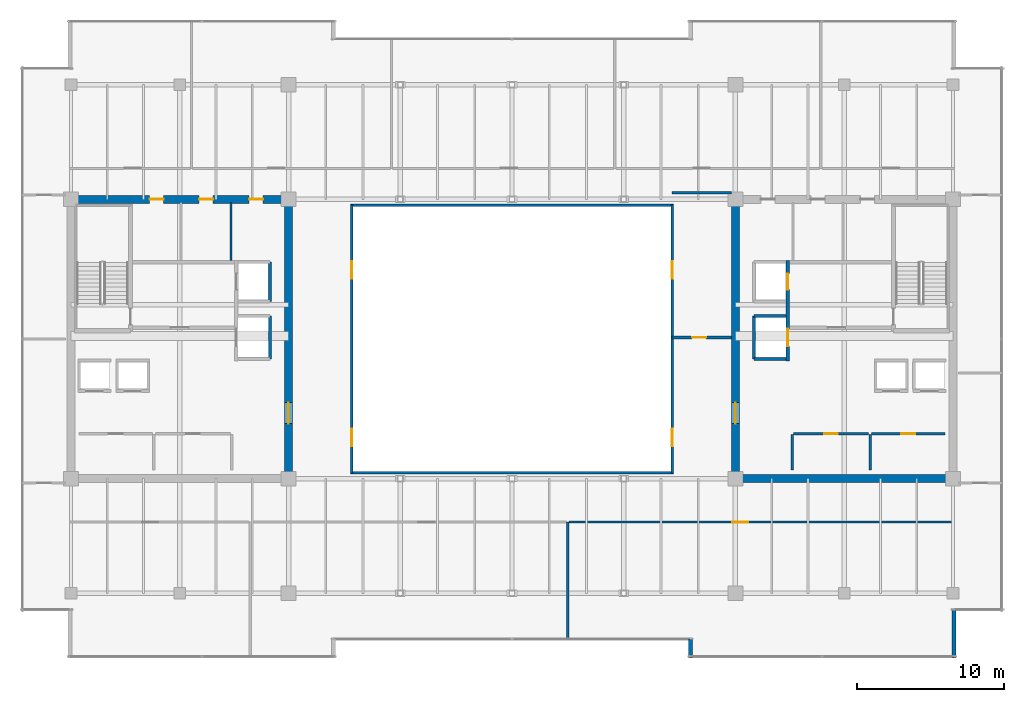
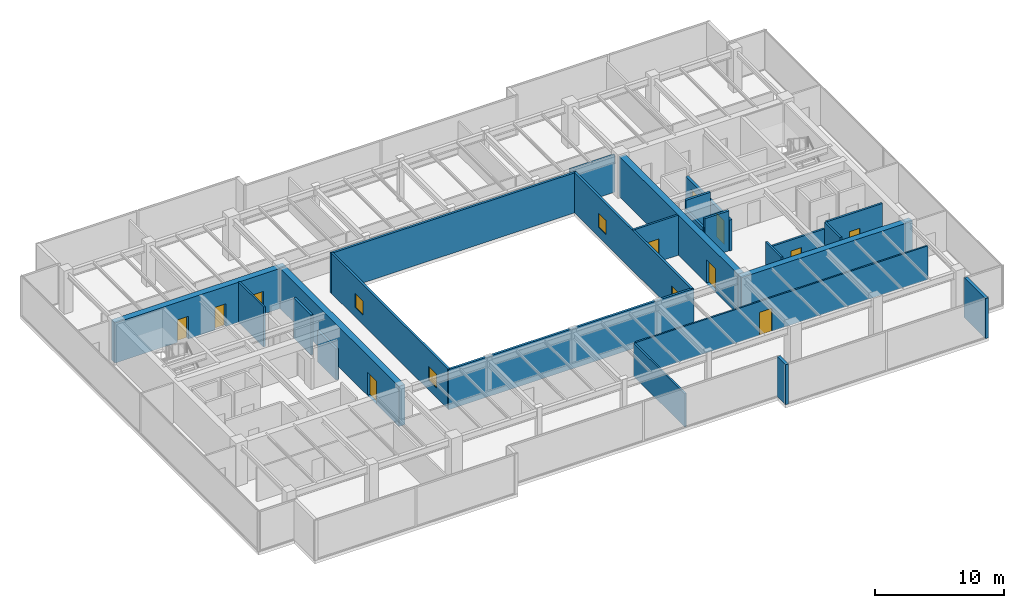
# One storey, part 29 of 33: 25 walls, 11 doors, 4 windows, 15 openings.
"""IFC4 building model written with IfcOpenShell, lengths in metres."""

from ifc_helpers import new_model, si_unit, direction, frame, frame_2d, origin, place, context, subcontext, project, spatial, rectangle, extrude, source, transform, mapped, material, layer, layer_set, type_object, type_shapes, element, fill, save


model = new_model("IFC4")

# Units and contexts
model_context = context("Model", 3, precision=1e-05, world=origin(), true_north=direction((0.0, 1.0)))
body_context = subcontext(model_context, "Body", "Model", "MODEL_VIEW")
ifc_project = project(units=[si_unit("LENGTHUNIT", "METRE"), si_unit("AREAUNIT", "SQUARE_METRE"), si_unit("VOLUMEUNIT", "CUBIC_METRE"), si_unit("PLANEANGLEUNIT", "RADIAN"), si_unit("MASSUNIT", "GRAM", prefix="KILO")], contexts=[model_context])

# Site, building, storey
site_placement = place(None, origin())
site = spatial("IfcSite", under=ifc_project, at=site_placement, CompositionType="ELEMENT")
building_placement = place(site_placement, origin())
building = spatial("IfcBuilding", under=site, at=building_placement, Name="Haelvirn Gate Laboratories", CompositionType="ELEMENT")
storey_placement = place(building_placement, frame((0.0, 0.0, 287.5)))
storey = spatial("IfcBuildingStorey", under=building, at=storey_placement, Name="L69", CompositionType="ELEMENT", Elevation=287.5)

# Walls
ifc_material_1 = material(Name="Thermally-broken bronze aluminium rainscreen & mineral wool", Category="aluminium")
ifc_layer_1 = layer(ifc_material_1, 0.280029296875, Name="EW-TERR-280")
ifc_layer_set_1 = layer_set([ifc_layer_1], Name="Thermally-broken bronze aluminium rainscreen & mineral wool")
wall_type_1 = type_object("IfcWallType", Name="EW-TERR-280", PredefinedType="STANDARD", material=ifc_layer_set_1)
wall_1_placement = place(storey_placement, frame((49.5400390625, 3.89306640625, 0.0), z_axis=(0.0, 0.0, 1.0), x_axis=(0.0, -1.0, 0.0)))
element("IfcWall", 1, at=wall_1_placement, inside=storey, type_object=wall_type_1, Name="L69 Atrium Recess Bronze Return Wall 03", PredefinedType="STANDARD", context=body_context, shape_type="SweptSolid", body=[
    extrude(rectangle(XDim=1.29296875, YDim=0.280029296875, at=frame_2d((0.646484375, 0.0))), origin(), (0.0, 0.0, 1.0), 3.800048828125),
])
wall_2_placement = place(storey_placement, frame((67.4599609375, 2.60009765625, 0.0), z_axis=(0.0, 0.0, 1.0), x_axis=(0.0, 1.0, 0.0)))
element("IfcWall", 2, at=wall_2_placement, inside=storey, type_object=wall_type_1, Name="L69 Atrium Recess Bronze Return Wall 05", PredefinedType="STANDARD", context=body_context, shape_type="SweptSolid", body=[
    extrude(rectangle(XDim=3.287841796875, YDim=0.280029296875, at=frame_2d((1.64404296875, 0.0))), origin(), (0.0, 0.0, 1.0), 3.800048828125),
])
ifc_material_2 = material(Name="Double-layer acoustic gypsum laboratory partition", Category="gypsum")
ifc_layer_2 = layer(ifc_material_2, 0.159912109375, Name="IW-ACOUST-160")
ifc_layer_set_2 = layer_set([ifc_layer_2], Name="Double-layer acoustic gypsum laboratory partition")
wall_type_2 = type_object("IfcWallType", Name="IW-ACOUST-160", PredefinedType="PARTITIONING", material=ifc_layer_set_2)
wall_3_placement = place(storey_placement, frame((41.199951171875, 3.909912109375, 0.0), z_axis=(0.0, 0.0, 1.0), x_axis=(0.0, 1.0, 0.0)))
element("IfcWall", 3, at=wall_3_placement, inside=storey, type_object=wall_type_2, Name="L69 Interior Wall IW-L69-SDIV-02", PredefinedType="PARTITIONING", context=body_context, shape_type="SweptSolid", body=[
    extrude(rectangle(XDim=7.93017578125, YDim=0.159912109375, at=frame_2d((3.965087890625, 0.0))), origin(), (0.0, 0.0, 1.0), 3.135009765625),
])
ifc_material_3 = material(Name="Fire-rated acoustic gypsum board partition", Category="gypsum")
ifc_layer_3 = layer(ifc_material_3, 0.175048828125, Name="IW-ACOUST-180")
ifc_layer_set_3 = layer_set([ifc_layer_3], Name="Fire-rated acoustic gypsum board partition")
wall_type_3 = type_object("IfcWallType", Name="IW-ACOUST-180", PredefinedType="PARTITIONING", material=ifc_layer_set_3)
wall_4_placement = place(storey_placement, frame((48.300048828125, 34.260009765625, 0.0), z_axis=(0.0, 0.0, 1.0), x_axis=(1.0, 0.0, 0.0)))
element("IfcWall", 4, at=wall_4_placement, inside=storey, type_object=wall_type_3, Name="L69 Interior Wall IW-L69-EPOD-N", PredefinedType="PARTITIONING", context=body_context, shape_type="SweptSolid", body=[
    extrude(rectangle(XDim=4.02490234375, YDim=0.175048828125, at=frame_2d((2.012451171875, 0.0))), origin(), (0.0, 0.0, 1.0), 3.534912109375),
])

# Wall, opening, door
wall_5_placement = place(storey_placement, frame((48.300048828125, 24.39990234375, 0.0), z_axis=(0.0, 0.0, 1.0), x_axis=(1.0, 0.0, 0.0)))
wall_5 = element("IfcWall", 5, at=wall_5_placement, inside=storey, type_object=wall_type_3, Name="L69 Interior Wall IW-L69-EPOD-S", PredefinedType="PARTITIONING", context=body_context, shape_type="SweptSolid", body=[
    extrude(rectangle(XDim=4.02490234375, YDim=0.175048828125, at=frame_2d((2.012451171875, 0.0))), origin(), (0.0, 0.0, 1.0), 3.800048828125),
])
opening_1_placement = place(wall_5_placement, frame((1.35009765625, 0.0, 0.0)))
opening_1 = element("IfcOpeningElement", 6, at=opening_1_placement, cuts=wall_5, Name="Opening FD4", PredefinedType="OPENING", context=body_context, shape_type="SweptSolid", body=[
    extrude(rectangle(XDim=0.949951171875, YDim=2.14990234375, at=frame_2d((0.47509765625, 1.074951171875))), frame((0.0, 0.09765625, 0.0), z_axis=(0.0, -1.0, 0.0), x_axis=(1.0, 0.0, 0.0)), (0.0, 0.0, 1.0), 0.195068359375),
])
ifc_material_4 = material(Name="Fire-rated steel SM355 core service door", Category="steel")
door_type_1 = type_object("IfcDoorType", Name="DR-FD-950", OperationType="NOTDEFINED", PredefinedType="DOOR", material=ifc_material_4)
shared_shape_1 = source(origin(), body_context, "Body", "SweptSolid", [
    extrude(rectangle(XDim=0.949951171875, YDim=2.14990234375, at=frame_2d((0.47509765625, 1.074951171875))), frame((0.0, 0.02490234375, 0.0), z_axis=(0.0, -1.0, 0.0), x_axis=(1.0, 0.0, 0.0)), (0.0, 0.0, 1.0), 0.050048828125),
])
type_shapes(door_type_1, [shared_shape_1])
door_1_placement = place(opening_1_placement, origin())
door_1 = element("IfcDoor", 7, at=door_1_placement, inside=storey, type_object=door_type_1, Name="L69 High-Zone Collaboration Suite Door", OperationType="SINGLE_SWING_LEFT", OverallHeight=2.14990234375, OverallWidth=0.949951171875, PredefinedType="DOOR", context=body_context, shape_type="MappedRepresentation", body=[
    mapped(shared_shape_1, transform((0.0, 0.0, 0.0), scale=1.0)),
])
fill(opening_1, door_1)

# Wall, openings, windows
ifc_material_5 = material(Name="Tempered fire-rated borosilicate glass & anodised aluminium", Category="aluminium")
ifc_layer_4 = layer(ifc_material_5, 0.195068359375, Name="IW-GLAZ-200")
ifc_layer_set_4 = layer_set([ifc_layer_4], Name="Tempered fire-rated borosilicate glass & anodised aluminium")
wall_type_4 = type_object("IfcWallType", Name="IW-GLAZ-200", PredefinedType="SOLIDWALL", material=ifc_layer_set_4)
wall_6_placement = place(storey_placement, frame((26.5, 15.199951171875, 0.0), z_axis=(0.0, 0.0, 1.0), x_axis=(0.0, 1.0, 0.0)))
wall_6 = element("IfcWall", 8, at=wall_6_placement, inside=storey, type_object=wall_type_4, Name="L69 Interior Wall IW-L69-ATRIUM-W", PredefinedType="SOLIDWALL", context=body_context, shape_type="SweptSolid", body=[
    extrude(rectangle(XDim=18.199951171875, YDim=0.195068359375, at=frame_2d((9.10009765625, 0.0))), origin(), (0.0, 0.0, 1.0), 3.800048828125),
])
opening_2_placement = place(wall_6_placement, frame((1.800048828125, 0.0, 0.89990234375)))
opening_2 = element("IfcOpeningElement", 9, at=opening_2_placement, cuts=wall_6, Name="Opening W6", PredefinedType="OPENING", context=body_context, shape_type="SweptSolid", body=[
    extrude(rectangle(XDim=1.199951171875, YDim=1.35009765625, at=frame_2d((0.60009765625, 0.675048828125))), frame((0.0, 0.107421875, 0.0), z_axis=(0.0, -1.0, 0.0), x_axis=(1.0, 0.0, 0.0)), (0.0, 0.0, 1.0), 0.215087890625),
])
opening_3_placement = place(wall_6_placement, frame((13.199951171875, 0.0, 0.89990234375)))
opening_3 = element("IfcOpeningElement", 10, at=opening_3_placement, cuts=wall_6, Name="Opening W6", PredefinedType="OPENING", context=body_context, shape_type="SweptSolid", body=[
    extrude(rectangle(XDim=1.199951171875, YDim=1.35009765625, at=frame_2d((0.60009765625, 0.675048828125))), frame((0.0, 0.107421875, 0.0), z_axis=(0.0, -1.0, 0.0), x_axis=(1.0, 0.0, 0.0)), (0.0, 0.0, 1.0), 0.215087890625),
])
ifc_material_6 = material(Name="Fire-rated EI 120 borosilicate atrium vision glazing", Category="glass")
window_type = type_object("IfcWindowType", Name="WN-ATR-1200", PartitioningType="SINGLE_PANEL", PredefinedType="WINDOW", material=ifc_material_6)
shared_shape_2 = source(origin(), body_context, "Body", "SweptSolid", [
    extrude(rectangle(XDim=1.199951171875, YDim=1.35009765625, at=frame_2d((0.60009765625, 0.675048828125))), frame((0.0, 0.030029296875, 0.0), z_axis=(0.0, -1.0, 0.0), x_axis=(1.0, 0.0, 0.0)), (0.0, 0.0, 1.0), 0.06005859375),
])
type_shapes(window_type, [shared_shape_2])
window_1_placement = place(opening_2_placement, origin())
window_1 = element("IfcWindow", 11, at=window_1_placement, inside=storey, type_object=window_type, Name="L69 Atrium Observation Window 1", OverallHeight=1.35009765625, OverallWidth=1.199951171875, PartitioningType="SINGLE_PANEL", PredefinedType="WINDOW", context=body_context, shape_type="MappedRepresentation", body=[
    mapped(shared_shape_2, transform((0.0, 0.0, 0.0), scale=1.0)),
])
fill(opening_2, window_1)
window_2_placement = place(opening_3_placement, origin())
window_2 = element("IfcWindow", 12, at=window_2_placement, inside=storey, type_object=window_type, Name="L69 Atrium Observation Window 2", OverallHeight=1.35009765625, OverallWidth=1.199951171875, PartitioningType="SINGLE_PANEL", PredefinedType="WINDOW", context=body_context, shape_type="MappedRepresentation", body=[
    mapped(shared_shape_2, transform((0.0, 0.0, 0.0), scale=1.0)),
])
fill(opening_3, window_2)

wall_7_placement = place(storey_placement, frame((48.300048828125, 15.199951171875, 0.0), z_axis=(0.0, 0.0, 1.0), x_axis=(0.0, 1.0, 0.0)))
wall_7 = element("IfcWall", 13, at=wall_7_placement, inside=storey, type_object=wall_type_4, Name="L69 Interior Wall IW-L69-ATRIUM-E", PredefinedType="SOLIDWALL", context=body_context, shape_type="SweptSolid", body=[
    extrude(rectangle(XDim=18.199951171875, YDim=0.195068359375, at=frame_2d((9.10009765625, 0.0))), origin(), (0.0, 0.0, 1.0), 3.800048828125),
])
opening_4_placement = place(wall_7_placement, frame((1.800048828125, 0.0, 0.89990234375)))
opening_4 = element("IfcOpeningElement", 14, at=opening_4_placement, cuts=wall_7, Name="Opening W6", PredefinedType="OPENING", context=body_context, shape_type="SweptSolid", body=[
    extrude(rectangle(XDim=1.199951171875, YDim=1.35009765625, at=frame_2d((0.60009765625, 0.675048828125))), frame((0.0, 0.107421875, 0.0), z_axis=(0.0, -1.0, 0.0), x_axis=(1.0, 0.0, 0.0)), (0.0, 0.0, 1.0), 0.215087890625),
])
opening_5_placement = place(wall_7_placement, frame((13.199951171875, 0.0, 0.89990234375)))
opening_5 = element("IfcOpeningElement", 15, at=opening_5_placement, cuts=wall_7, Name="Opening W6", PredefinedType="OPENING", context=body_context, shape_type="SweptSolid", body=[
    extrude(rectangle(XDim=1.199951171875, YDim=1.35009765625, at=frame_2d((0.60009765625, 0.675048828125))), frame((0.0, 0.107421875, 0.0), z_axis=(0.0, -1.0, 0.0), x_axis=(1.0, 0.0, 0.0)), (0.0, 0.0, 1.0), 0.215087890625),
])
window_3_placement = place(opening_4_placement, origin())
window_3 = element("IfcWindow", 16, at=window_3_placement, inside=storey, type_object=window_type, Name="L69 Atrium Observation Window 1", OverallHeight=1.35009765625, OverallWidth=1.199951171875, PartitioningType="SINGLE_PANEL", PredefinedType="WINDOW", context=body_context, shape_type="MappedRepresentation", body=[
    mapped(shared_shape_2, transform((0.0, 0.0, 0.0), scale=1.0)),
])
fill(opening_4, window_3)
window_4_placement = place(opening_5_placement, origin())
window_4 = element("IfcWindow", 17, at=window_4_placement, inside=storey, type_object=window_type, Name="L69 Atrium Observation Window 2", OverallHeight=1.35009765625, OverallWidth=1.199951171875, PartitioningType="SINGLE_PANEL", PredefinedType="WINDOW", context=body_context, shape_type="MappedRepresentation", body=[
    mapped(shared_shape_2, transform((0.0, 0.0, 0.0), scale=1.0)),
])
fill(opening_5, window_4)

# Walls
for number, where, z_axis, x_axis, name in (
    (18, (26.39990234375, 15.199951171875, 0.0), (0.0, 0.0, 1.0), (1.0, 0.0, 0.0), "L69 Interior Wall IW-L69-ATRIUM-S"),
    (19, (26.39990234375, 33.39990234375, 0.0), (0.0, 0.0, 1.0), (1.0, 0.0, 0.0), "L69 Interior Wall IW-L69-ATRIUM-N"),
):
    element("IfcWall", number, at=place(storey_placement, frame(where, z_axis=z_axis, x_axis=x_axis)), inside=storey, type_object=wall_type_4, Name=name, PredefinedType="SOLIDWALL", context=body_context, shape_type="SweptSolid", body=[
        extrude(rectangle(XDim=22.0, YDim=0.195068359375, at=frame_2d((11.0, 0.0))), origin(), (0.0, 0.0, 1.0), 3.800048828125),
    ])

# Wall, opening, door
ifc_material_7 = material(Name="Acoustic mineral-wool gypsum board partition", Category="gypsum")
ifc_layer_5 = layer(ifc_material_7, 0.139892578125, Name="IW-PART-140")
ifc_layer_set_5 = layer_set([ifc_layer_5], Name="Acoustic mineral-wool gypsum board partition")
wall_type_5 = type_object("IfcWallType", Name="IW-PART-140", PredefinedType="PARTITIONING", material=ifc_layer_set_5)
wall_8_placement = place(storey_placement, frame((41.280029296875, 11.840087890625, 0.0), z_axis=(0.0, 0.0, 1.0), x_axis=(1.0, 0.0, 0.0)))
wall_8 = element("IfcWall", 20, at=wall_8_placement, inside=storey, type_object=wall_type_5, Name="L69 Interior Wall IW-L69-SCORR-03", PredefinedType="PARTITIONING", context=body_context, shape_type="SweptSolid", body=[
    extrude(rectangle(XDim=26.2099609375, YDim=0.139892578125, at=frame_2d((13.10498046875, 0.0))), origin(), (0.0, 0.0, 1.0), 3.197021484375),
])
opening_6_placement = place(wall_8_placement, frame((11.09033203125, 0.0, 0.0)))
opening_6 = element("IfcOpeningElement", 21, at=opening_6_placement, cuts=wall_8, Name="Opening D1", PredefinedType="OPENING", context=body_context, shape_type="SweptSolid", body=[
    extrude(rectangle(XDim=1.10009765625, YDim=2.179931640625, at=frame_2d((0.550048828125, 1.08984375))), frame((0.0, 0.080078125, 0.0), z_axis=(0.0, -1.0, 0.0), x_axis=(1.0, 0.0, 0.0)), (0.0, 0.0, 1.0), 0.159912109375),
])
ifc_material_8 = material(Name="Vision-panel acoustic solid-core timber lab door", Category="wood")
door_type_2 = type_object("IfcDoorType", Name="DR-LAB-1100", OperationType="NOTDEFINED", PredefinedType="DOOR", material=ifc_material_8)
shared_shape_3 = source(origin(), body_context, "Body", "SweptSolid", [
    extrude(rectangle(XDim=1.10009765625, YDim=2.179931640625, at=frame_2d((0.550048828125, 1.08984375))), frame((0.0, 0.02490234375, 0.0), z_axis=(0.0, -1.0, 0.0), x_axis=(1.0, 0.0, 0.0)), (0.0, 0.0, 1.0), 0.050048828125),
])
type_shapes(door_type_2, [shared_shape_3])
door_2_placement = place(opening_6_placement, origin())
door_2 = element("IfcDoor", 22, at=door_2_placement, inside=storey, type_object=door_type_2, Name="L69 Peer-Review Seminar Room Door S3", OperationType="SINGLE_SWING_RIGHT", OverallHeight=2.179931640625, OverallWidth=1.10009765625, PredefinedType="DOOR", context=body_context, shape_type="MappedRepresentation", body=[
    mapped(shared_shape_3, transform((0.0, 0.0, 0.0), scale=1.0)),
])
fill(opening_6, door_2)

# Wall
ifc_material_9 = material(Name="Cement-board restroom plumbing chase wall", Category="gypsum")
ifc_layer_6 = layer(ifc_material_9, 0.155029296875, Name="IW-PLUMB-160")
ifc_layer_set_6 = layer_set([ifc_layer_6], Name="Cement-board restroom plumbing chase wall")
wall_type_6 = type_object("IfcWallType", Name="IW-PLUMB-160", PredefinedType="PLUMBINGWALL", material=ifc_layer_set_6)
wall_9_placement = place(storey_placement, frame((18.2900390625, 29.64990234375, 0.0), z_axis=(0.0, 0.0, 1.0), x_axis=(0.0, 1.0, 0.0)))
element("IfcWall", 23, at=wall_9_placement, inside=storey, type_object=wall_type_6, Name="L69 Interior Wall IW-L69-W-CDIV-2", PredefinedType="PLUMBINGWALL", context=body_context, shape_type="SweptSolid", body=[
    extrude(rectangle(XDim=3.93017578125, YDim=0.155029296875, at=frame_2d((1.965087890625, 0.0))), origin(), (0.0, 0.0, 1.0), 3.800048828125),
])

# Wall, opening, door
ifc_material_10 = material(Name="Concrete C40/50", Category="concrete")
ifc_layer_7 = layer(ifc_material_10, 0.179931640625, Name="IW-SHAFT-180")
ifc_layer_set_7 = layer_set([ifc_layer_7], Name="Concrete C40/50")
wall_type_7 = type_object("IfcWallType", Name="IW-SHAFT-180", PredefinedType="SOLIDWALL", material=ifc_layer_set_7)
wall_10_placement = place(storey_placement, frame((61.85009765625, 17.85009765625, 0.0), z_axis=(0.0, 0.0, 1.0), x_axis=(1.0, 0.0, 0.0)))
wall_10 = element("IfcWall", 24, at=wall_10_placement, inside=storey, type_object=wall_type_7, Name="L69 Interior Wall IW-L69-E-FREED-HN-1", PredefinedType="SOLIDWALL", context=body_context, shape_type="SweptSolid", body=[
    extrude(rectangle(XDim=5.0, YDim=0.179931640625, at=frame_2d((2.5, 0.0))), origin(), (0.0, 0.0, 1.0), 3.800048828125),
])
opening_7_placement = place(wall_10_placement, frame((2.02490234375, 0.0, 0.0)))
opening_7 = element("IfcOpeningElement", 25, at=opening_7_placement, cuts=wall_10, Name="Opening FD4", PredefinedType="OPENING", context=body_context, shape_type="SweptSolid", body=[
    extrude(rectangle(XDim=0.949951171875, YDim=2.14990234375, at=frame_2d((0.47509765625, 1.074951171875))), frame((0.0, 0.10009765625, 0.0), z_axis=(0.0, -1.0, 0.0), x_axis=(1.0, 0.0, 0.0)), (0.0, 0.0, 1.0), 0.199951171875),
])
door_3_placement = place(opening_7_placement, origin())
door_3 = element("IfcDoor", 26, at=door_3_placement, inside=storey, type_object=door_type_1, Name="L69 Cryogenic Specimen Biobank Door", OperationType="SINGLE_SWING_LEFT", OverallHeight=2.14990234375, OverallWidth=0.949951171875, PredefinedType="DOOR", context=body_context, shape_type="MappedRepresentation", body=[
    mapped(shared_shape_1, transform((0.0, 0.0, 0.0), scale=1.0)),
])
fill(opening_7, door_3)

# Wall
wall_11_placement = place(storey_placement, frame((61.760009765625, 15.39990234375, 0.0), z_axis=(0.0, 0.0, 1.0), x_axis=(0.0, 1.0, 0.0)))
element("IfcWall", 27, at=wall_11_placement, inside=storey, type_object=wall_type_7, Name="L69 Interior Wall IW-L69-E-FREED-HE-1", PredefinedType="SOLIDWALL", context=body_context, shape_type="SweptSolid", body=[
    extrude(rectangle(XDim=2.400146484375, YDim=0.179931640625, at=frame_2d((1.2001953125, 0.0))), origin(), (0.0, 0.0, 1.0), 3.800048828125),
])

# Wall, opening, door
wall_12_placement = place(storey_placement, frame((56.550048828125, 17.85009765625, 0.0), z_axis=(0.0, 0.0, 1.0), x_axis=(1.0, 0.0, 0.0)))
wall_12 = element("IfcWall", 28, at=wall_12_placement, inside=storey, type_object=wall_type_7, Name="L69 Interior Wall IW-L69-E-FREED-HN-2", PredefinedType="SOLIDWALL", context=body_context, shape_type="SweptSolid", body=[
    extrude(rectangle(XDim=5.099853515625, YDim=0.179931640625, at=frame_2d((2.5498046875, 0.0))), origin(), (0.0, 0.0, 1.0), 3.197021484375),
])
opening_8_placement = place(wall_12_placement, frame((2.074951171875, 0.0, 0.0)))
opening_8 = element("IfcOpeningElement", 29, at=opening_8_placement, cuts=wall_12, Name="Opening FD4", PredefinedType="OPENING", context=body_context, shape_type="SweptSolid", body=[
    extrude(rectangle(XDim=0.949951171875, YDim=2.14990234375, at=frame_2d((0.47509765625, 1.074951171875))), frame((0.0, 0.10009765625, 0.0), z_axis=(0.0, -1.0, 0.0), x_axis=(1.0, 0.0, 0.0)), (0.0, 0.0, 1.0), 0.199951171875),
])
door_4_placement = place(opening_8_placement, origin())
door_4 = element("IfcDoor", 30, at=door_4_placement, inside=storey, type_object=door_type_1, Name="L69 Cryo-Assay Preparation Laboratory Door", OperationType="SINGLE_SWING_RIGHT", OverallHeight=2.14990234375, OverallWidth=0.949951171875, PredefinedType="DOOR", context=body_context, shape_type="MappedRepresentation", body=[
    mapped(shared_shape_1, transform((0.0, 0.0, 0.0), scale=1.0)),
])
fill(opening_8, door_4)

# Walls
wall_13_placement = place(storey_placement, frame((56.4599609375, 15.39990234375, 0.0), z_axis=(0.0, 0.0, 1.0), x_axis=(0.0, 1.0, 0.0)))
element("IfcWall", 31, at=wall_13_placement, inside=storey, type_object=wall_type_7, Name="L69 Interior Wall IW-L69-E-FREED-HE-2", PredefinedType="SOLIDWALL", context=body_context, shape_type="SweptSolid", body=[
    extrude(rectangle(XDim=2.400146484375, YDim=0.179931640625, at=frame_2d((1.2001953125, 0.0))), origin(), (0.0, 0.0, 1.0), 3.800048828125),
])
ifc_layer_8 = layer(ifc_material_10, 0.199951171875, Name="IW-SHAFT-200")
ifc_layer_set_8 = layer_set([ifc_layer_8], Name="Concrete C40/50")
wall_type_8 = type_object("IfcWallType", Name="IW-SHAFT-200", PredefinedType="SOLIDWALL", material=ifc_layer_set_8)
wall_14_placement = place(storey_placement, frame((20.949951171875, 26.85009765625, 0.0), z_axis=(0.0, 0.0, 1.0), x_axis=(0.0, 1.0, 0.0)))
element("IfcWall", 32, at=wall_14_placement, inside=storey, type_object=wall_type_8, Name="L69 Interior Wall IW-L69-FL1-BK", PredefinedType="SOLIDWALL", context=body_context, shape_type="SweptSolid", body=[
    extrude(rectangle(XDim=2.699951171875, YDim=0.199951171875, at=frame_2d((1.35009765625, 0.0))), origin(), (0.0, 0.0, 1.0), 3.800048828125),
])
for number, where, z_axis, x_axis, name in (
    (33, (20.949951171875, 22.949951171875, 0.0), (0.0, 0.0, 1.0), (0.0, 1.0, 0.0), "L69 Interior Wall IW-L69-SL1-BK"),
    (34, (53.85009765625, 22.949951171875, 0.0), (0.0, 0.0, 1.0), (0.0, 1.0, 0.0), "L69 Interior Wall IW-L69-SL2-BK"),
):
    element("IfcWall", number, at=place(storey_placement, frame(where, z_axis=z_axis, x_axis=x_axis)), inside=storey, type_object=wall_type_8, Name=name, PredefinedType="SOLIDWALL", context=body_context, shape_type="SweptSolid", body=[
        extrude(rectangle(XDim=2.900146484375, YDim=0.199951171875, at=frame_2d((1.4501953125, 0.0))), origin(), (0.0, 0.0, 1.0), 2.93505859375),
    ])
for number, where, z_axis, x_axis, name in (
    (35, (53.85009765625, 25.85009765625, 0.0), (0.0, 0.0, 1.0), (1.0, 0.0, 0.0), "L69 Interior Wall IW-L69-SL2-N"),
    (36, (53.85009765625, 22.949951171875, 0.0), (0.0, 0.0, 1.0), (1.0, 0.0, 0.0), "L69 Interior Wall IW-L69-SL2-S"),
):
    element("IfcWall", number, at=place(storey_placement, frame(where, z_axis=z_axis, x_axis=x_axis)), inside=storey, type_object=wall_type_8, Name=name, PredefinedType="SOLIDWALL", context=body_context, shape_type="SweptSolid", body=[
        extrude(rectangle(XDim=2.18994140625, YDim=0.199951171875, at=frame_2d((1.094970703125, 0.0))), origin(), (0.0, 0.0, 1.0), 3.800048828125),
    ])

# Wall, openings, doors
ifc_layer_9 = layer(ifc_material_10, 0.239990234375, Name="IW-SHAFT-240")
ifc_layer_set_9 = layer_set([ifc_layer_9], Name="Concrete C40/50")
wall_type_9 = type_object("IfcWallType", Name="IW-SHAFT-240", PredefinedType="SOLIDWALL", material=ifc_layer_set_9)
wall_15_placement = place(storey_placement, frame((56.159912109375, 22.800048828125, 0.0), z_axis=(0.0, 0.0, 1.0), x_axis=(0.0, 1.0, 0.0)))
wall_15 = element("IfcWall", 37, at=wall_15_placement, inside=storey, type_object=wall_type_9, Name="L69 Interior Wall IW-L69-E-FF-E", PredefinedType="SOLIDWALL", context=body_context, shape_type="SweptSolid", body=[
    extrude(rectangle(XDim=6.849853515625, YDim=0.239990234375, at=frame_2d((3.4248046875, 0.0))), origin(), (0.0, 0.0, 1.0), 2.93505859375),
])
opening_9_placement = place(wall_15_placement, frame((4.85009765625, 0.0, 0.0)))
opening_9 = element("IfcOpeningElement", 38, at=opening_9_placement, cuts=wall_15, Name="Opening LD2", PredefinedType="OPENING", context=body_context, shape_type="SweptSolid", body=[
    extrude(rectangle(XDim=1.10009765625, YDim=2.219970703125, at=frame_2d((0.550048828125, 1.10986328125))), frame((0.0, 0.1298828125, 0.0), z_axis=(0.0, -1.0, 0.0), x_axis=(1.0, 0.0, 0.0)), (0.0, 0.0, 1.0), 0.260009765625),
])
opening_10_placement = place(wall_15_placement, frame((1.0, 0.0, 0.0)))
opening_10 = element("IfcOpeningElement", 39, at=opening_10_placement, cuts=wall_15, Name="Opening LD1", PredefinedType="OPENING", context=body_context, shape_type="SweptSolid", body=[
    extrude(rectangle(XDim=1.199951171875, YDim=2.219970703125, at=frame_2d((0.60009765625, 1.10986328125))), frame((0.0, 0.1298828125, 0.0), z_axis=(0.0, -1.0, 0.0), x_axis=(1.0, 0.0, 0.0)), (0.0, 0.0, 1.0), 0.260009765625),
])
ifc_material_11 = material(Name="Bronze stainless 316L sliding lift landing door")
door_type_3 = type_object("IfcDoorType", Name="DR-LD-1100", OperationType="NOTDEFINED", PredefinedType="USERDEFINED", material=ifc_material_11)
shared_shape_4 = source(origin(), body_context, "Body", "SweptSolid", [
    extrude(rectangle(XDim=1.10009765625, YDim=2.219970703125, at=frame_2d((0.550048828125, 1.10986328125))), frame((0.0, 0.02490234375, 0.0), z_axis=(0.0, -1.0, 0.0), x_axis=(1.0, 0.0, 0.0)), (0.0, 0.0, 1.0), 0.050048828125),
])
type_shapes(door_type_3, [shared_shape_4])
door_5_placement = place(opening_9_placement, origin())
door_5 = element("IfcDoor", 40, at=door_5_placement, inside=storey, type_object=door_type_3, Name="L69 Firefighting Lift FL2 Landing Door", ObjectType="LANDING_DOOR", OperationType="SLIDING_TO_RIGHT", OverallHeight=2.219970703125, OverallWidth=1.10009765625, PredefinedType="USERDEFINED", context=body_context, shape_type="MappedRepresentation", body=[
    mapped(shared_shape_4, transform((0.0, 0.0, 0.0), scale=1.0)),
])
fill(opening_9, door_5)
ifc_material_12 = material(Name="Stainless steel 316L sliding goods landing door", Category="steel")
door_type_4 = type_object("IfcDoorType", Name="DR-LD-1200", OperationType="NOTDEFINED", PredefinedType="USERDEFINED", material=ifc_material_12)
shared_shape_5 = source(origin(), body_context, "Body", "SweptSolid", [
    extrude(rectangle(XDim=1.199951171875, YDim=2.219970703125, at=frame_2d((0.60009765625, 1.10986328125))), frame((0.0, 0.02490234375, 0.0), z_axis=(0.0, -1.0, 0.0), x_axis=(1.0, 0.0, 0.0)), (0.0, 0.0, 1.0), 0.050048828125),
])
type_shapes(door_type_4, [shared_shape_5])
door_6_placement = place(opening_10_placement, origin())
door_6 = element("IfcDoor", 41, at=door_6_placement, inside=storey, type_object=door_type_4, Name="L69 Service Lift SL2 Landing Door", ObjectType="LANDING_DOOR", OperationType="SLIDING_TO_LEFT", OverallHeight=2.219970703125, OverallWidth=1.199951171875, PredefinedType="USERDEFINED", context=body_context, shape_type="MappedRepresentation", body=[
    mapped(shared_shape_5, transform((0.0, 0.0, 0.0), scale=1.0)),
])
fill(opening_10, door_6)

ifc_material_13 = material(Name="Concrete C50/60", Category="concrete")
ifc_layer_10 = layer(ifc_material_13, 0.550048828125, Name="SW-CORE-550")
ifc_layer_set_10 = layer_set([ifc_layer_10], Name="Concrete C50/60")
wall_type_10 = type_object("IfcWallType", Name="SW-CORE-550", PredefinedType="SHEAR", material=ifc_layer_set_10)
wall_16_placement = place(storey_placement, frame((7.125, 33.800048828125, 0.0), z_axis=(0.0, 0.0, 1.0), x_axis=(1.0, 0.0, 0.0)))
wall_16 = element("IfcWall", 42, at=wall_16_placement, inside=storey, type_object=wall_type_10, Name="L69 W Core Shear Wall N", PredefinedType="SHEAR", context=body_context, shape_type="SweptSolid", body=[
    extrude(rectangle(XDim=15.35009765625, YDim=0.550048828125, at=frame_2d((7.675048828125, 0.0))), origin(), (0.0, 0.0, 1.0), 3.800048828125),
])
opening_11_placement = place(wall_16_placement, frame((5.625, 0.0, 0.0)))
opening_11 = element("IfcOpeningElement", 43, at=opening_11_placement, cuts=wall_16, Name="Opening FD4", PredefinedType="OPENING", context=body_context, shape_type="SweptSolid", body=[
    extrude(rectangle(XDim=0.949951171875, YDim=2.14990234375, at=frame_2d((0.47509765625, 1.074951171875))), frame((0.0, 0.28515625, 0.0), z_axis=(0.0, -1.0, 0.0), x_axis=(1.0, 0.0, 0.0)), (0.0, 0.0, 1.0), 0.570068359375),
])
opening_12_placement = place(wall_16_placement, frame((8.989990234375, 0.0, 0.0)))
opening_12 = element("IfcOpeningElement", 44, at=opening_12_placement, cuts=wall_16, Name="Opening FD4", PredefinedType="OPENING", context=body_context, shape_type="SweptSolid", body=[
    extrude(rectangle(XDim=0.949951171875, YDim=2.14990234375, at=frame_2d((0.47509765625, 1.074951171875))), frame((0.0, 0.28515625, 0.0), z_axis=(0.0, -1.0, 0.0), x_axis=(1.0, 0.0, 0.0)), (0.0, 0.0, 1.0), 0.570068359375),
])
opening_13_placement = place(wall_16_placement, frame((12.389892578125, 0.0, 0.0)))
opening_13 = element("IfcOpeningElement", 45, at=opening_13_placement, cuts=wall_16, Name="Opening FD4", PredefinedType="OPENING", context=body_context, shape_type="SweptSolid", body=[
    extrude(rectangle(XDim=0.949951171875, YDim=2.14990234375, at=frame_2d((0.47509765625, 1.074951171875))), frame((0.0, 0.28515625, 0.0), z_axis=(0.0, -1.0, 0.0), x_axis=(1.0, 0.0, 0.0)), (0.0, 0.0, 1.0), 0.570068359375),
])
door_7_placement = place(opening_11_placement, origin())
door_7 = element("IfcDoor", 46, at=door_7_placement, inside=storey, type_object=door_type_1, Name="L69 Male Restroom Fire Door", OperationType="SINGLE_SWING_RIGHT", OverallHeight=2.14990234375, OverallWidth=0.949951171875, PredefinedType="DOOR", context=body_context, shape_type="MappedRepresentation", body=[
    mapped(shared_shape_1, transform((0.0, 0.0, 0.0), scale=1.0)),
])
fill(opening_11, door_7)
door_8_placement = place(opening_12_placement, origin())
door_8 = element("IfcDoor", 47, at=door_8_placement, inside=storey, type_object=door_type_1, Name="L69 Female Restroom Fire Door", OperationType="SINGLE_SWING_LEFT", OverallHeight=2.14990234375, OverallWidth=0.949951171875, PredefinedType="DOOR", context=body_context, shape_type="MappedRepresentation", body=[
    mapped(shared_shape_1, transform((0.0, 0.0, 0.0), scale=1.0)),
])
fill(opening_12, door_8)
door_9_placement = place(opening_13_placement, origin())
door_9 = element("IfcDoor", 48, at=door_9_placement, inside=storey, type_object=door_type_1, Name="L69 Accessible Restroom Fire Door", OperationType="SINGLE_SWING_RIGHT", OverallHeight=2.14990234375, OverallWidth=0.949951171875, PredefinedType="DOOR", context=body_context, shape_type="MappedRepresentation", body=[
    mapped(shared_shape_1, transform((0.0, 0.0, 0.0), scale=1.0)),
])
fill(opening_13, door_9)

# Wall, opening, door
wall_17_placement = place(storey_placement, frame((22.199951171875, 15.074951171875, 0.0), z_axis=(0.0, 0.0, 1.0), x_axis=(0.0, 1.0, 0.0)))
wall_17 = element("IfcWall", 49, at=wall_17_placement, inside=storey, type_object=wall_type_10, Name="L69 W Core Shear Wall E", PredefinedType="SHEAR", context=body_context, shape_type="SweptSolid", body=[
    extrude(rectangle(XDim=18.449951171875, YDim=0.550048828125, at=frame_2d((9.22509765625, 0.0))), origin(), (0.0, 0.0, 1.0), 3.800048828125),
])
opening_14_placement = place(wall_17_placement, frame((3.47509765625, 0.0, 0.0)))
opening_14 = element("IfcOpeningElement", 50, at=opening_14_placement, cuts=wall_17, Name="Opening FD1", PredefinedType="OPENING", context=body_context, shape_type="SweptSolid", body=[
    extrude(rectangle(XDim=1.419921875, YDim=2.199951171875, at=frame_2d((0.7099609375, 1.10009765625))), frame((0.0, 0.28515625, 0.0), z_axis=(0.0, -1.0, 0.0), x_axis=(1.0, 0.0, 0.0)), (0.0, 0.0, 1.0), 0.570068359375),
])
ifc_material_14 = material(Name="Fire-rated double steel SM355 lobby door", Category="steel")
door_type_5 = type_object("IfcDoorType", Name="DR-FD-1400", OperationType="NOTDEFINED", PredefinedType="DOOR", material=ifc_material_14)
shared_shape_6 = source(origin(), body_context, "Body", "SweptSolid", [
    extrude(rectangle(XDim=1.419921875, YDim=2.199951171875, at=frame_2d((0.7099609375, 1.10009765625))), frame((0.0, 0.02490234375, 0.0), z_axis=(0.0, -1.0, 0.0), x_axis=(1.0, 0.0, 0.0)), (0.0, 0.0, 1.0), 0.050048828125),
])
type_shapes(door_type_5, [shared_shape_6])
door_10_placement = place(opening_14_placement, origin())
door_10 = element("IfcDoor", 51, at=door_10_placement, inside=storey, type_object=door_type_5, Name="L69 West Core Lift Lobby Fire Door", OperationType="DOUBLE_DOOR_SINGLE_SWING", OverallHeight=2.199951171875, OverallWidth=1.419921875, PredefinedType="DOOR", context=body_context, shape_type="MappedRepresentation", body=[
    mapped(shared_shape_6, transform((0.0, 0.0, 0.0), scale=1.0)),
])
fill(opening_14, door_10)

# Wall
wall_18_placement = place(storey_placement, frame((52.324951171875, 14.800048828125, 0.0), z_axis=(0.0, 0.0, 1.0), x_axis=(1.0, 0.0, 0.0)))
element("IfcWall", 52, at=wall_18_placement, inside=storey, type_object=wall_type_10, Name="L69 E Core Shear Wall S", PredefinedType="SHEAR", context=body_context, shape_type="SweptSolid", body=[
    extrude(rectangle(XDim=15.35009765625, YDim=0.550048828125, at=frame_2d((7.675048828125, 0.0))), origin(), (0.0, 0.0, 1.0), 3.800048828125),
])

# Wall, opening, door
wall_19_placement = place(storey_placement, frame((52.60009765625, 15.074951171875, 0.0), z_axis=(0.0, 0.0, 1.0), x_axis=(0.0, 1.0, 0.0)))
wall_19 = element("IfcWall", 53, at=wall_19_placement, inside=storey, type_object=wall_type_10, Name="L69 E Core Shear Wall W", PredefinedType="SHEAR", context=body_context, shape_type="SweptSolid", body=[
    extrude(rectangle(XDim=18.449951171875, YDim=0.550048828125, at=frame_2d((9.22509765625, 0.0))), origin(), (0.0, 0.0, 1.0), 3.800048828125),
])
opening_15_placement = place(wall_19_placement, frame((3.47509765625, 0.0, 0.0)))
opening_15 = element("IfcOpeningElement", 54, at=opening_15_placement, cuts=wall_19, Name="Opening FD1", PredefinedType="OPENING", context=body_context, shape_type="SweptSolid", body=[
    extrude(rectangle(XDim=1.419921875, YDim=2.199951171875, at=frame_2d((0.7099609375, 1.10009765625))), frame((0.0, 0.28515625, 0.0), z_axis=(0.0, -1.0, 0.0), x_axis=(1.0, 0.0, 0.0)), (0.0, 0.0, 1.0), 0.570068359375),
])
door_11_placement = place(opening_15_placement, origin())
door_11 = element("IfcDoor", 55, at=door_11_placement, inside=storey, type_object=door_type_5, Name="L69 East Core Lift Lobby Fire Door", OperationType="DOUBLE_DOOR_SINGLE_SWING", OverallHeight=2.199951171875, OverallWidth=1.419921875, PredefinedType="DOOR", context=body_context, shape_type="MappedRepresentation", body=[
    mapped(shared_shape_6, transform((0.0, 0.0, 0.0), scale=1.0)),
])
fill(opening_15, door_11)

save(model, "model.ifc")
